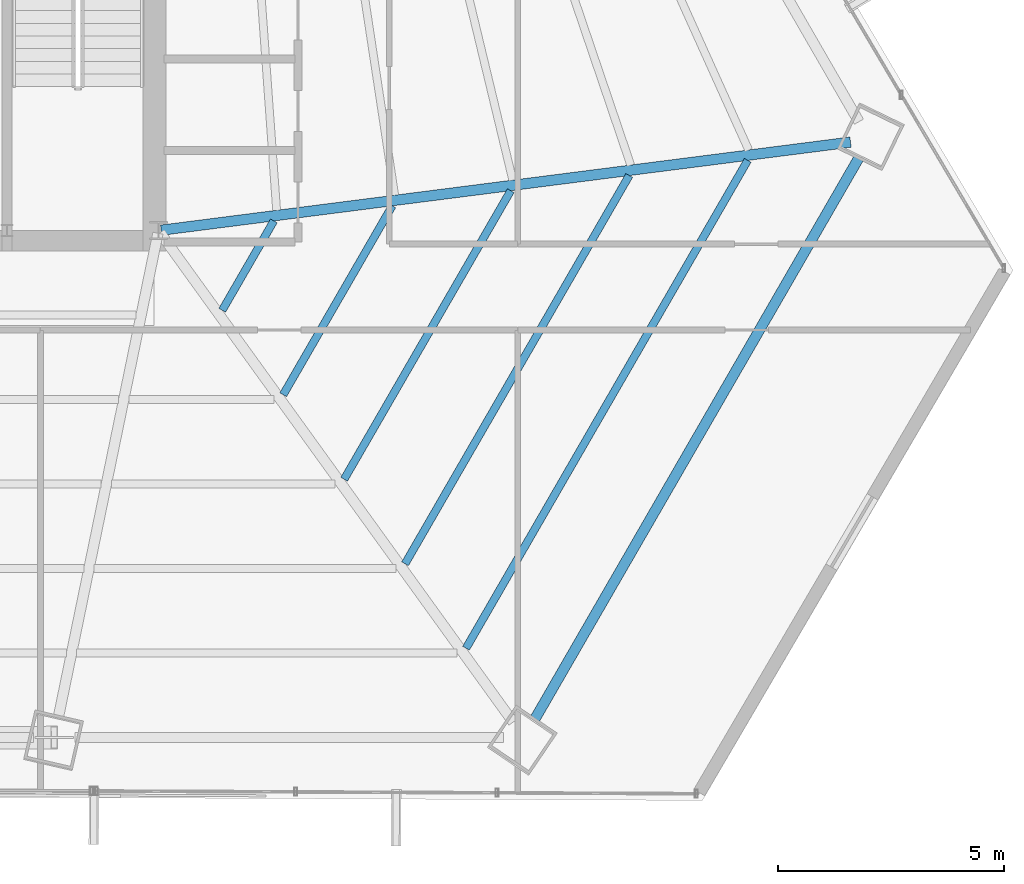
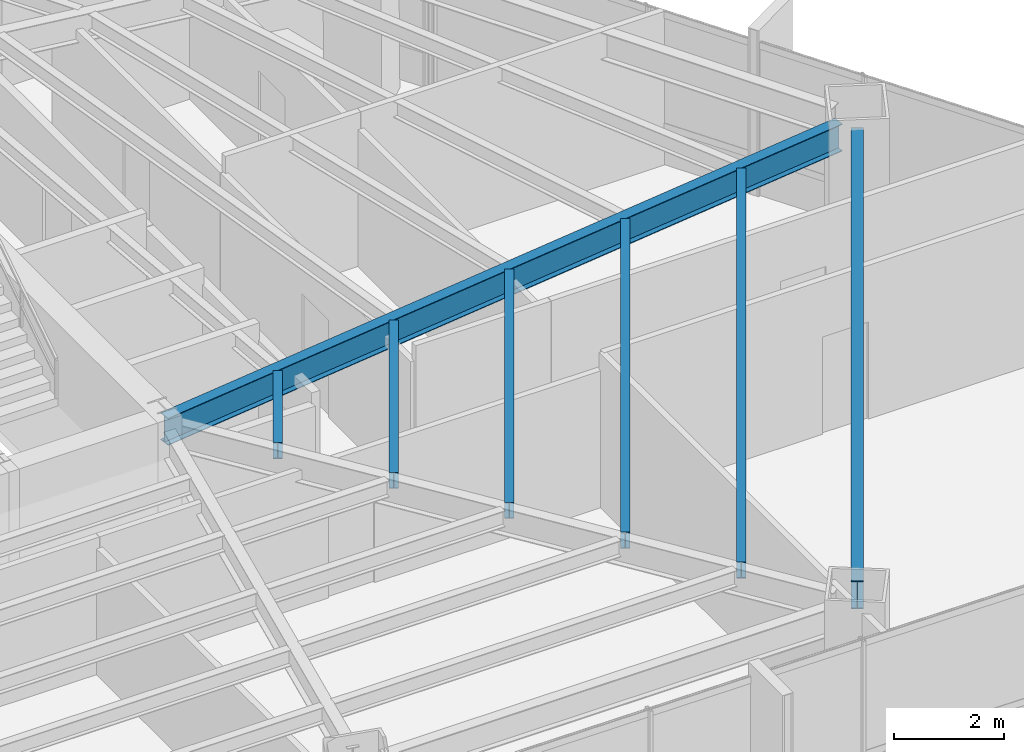
# One storey, part 19 of 35: 7 beams.
"""IFC4 building model written with IfcOpenShell, lengths in metres."""

from ifc_helpers import new_model, si_unit, direction, frame, origin, origin_2d, place, context, subcontext, project, spatial, i_section, extrude, source, transform, mapped, material, material_profile, profile_set, type_object, type_shapes, element, save


model = new_model("IFC4")

# Units and contexts
model_context = context("Model", 3, precision=1e-05, world=origin(), true_north=direction((0.0, 1.0)))
body_context = subcontext(model_context, "Body", "Model", "MODEL_VIEW")
ifc_project = project(units=[si_unit("LENGTHUNIT", "METRE"), si_unit("AREAUNIT", "SQUARE_METRE"), si_unit("VOLUMEUNIT", "CUBIC_METRE"), si_unit("PLANEANGLEUNIT", "RADIAN"), si_unit("MASSUNIT", "GRAM", prefix="KILO")], contexts=[model_context])

# Site, building, storey
site_placement = place(None, origin())
site = spatial("IfcSite", under=ifc_project, at=site_placement, CompositionType="ELEMENT")
building_placement = place(site_placement, origin())
building = spatial("IfcBuilding", under=site, at=building_placement, Name="Caelisora Broadcast Tower", CompositionType="ELEMENT")
storey_placement = place(building_placement, frame((0.0, 0.0, 94.449951171875)))
storey = spatial("IfcBuildingStorey", under=building, at=storey_placement, Name="L24", CompositionType="ELEMENT", Elevation=94.449951171875)

# Beams
ifc_material = material(Name="Steel Grade 350 (AS/NZS 3679.1)", Category="steel")
ifc_material_profile_1 = material_profile(ifc_material, i_section(OverallWidth=0.22900390625, OverallDepth=0.611572265625, WebThickness=0.011962890625, FlangeThickness=0.01953125, at=origin_2d()), Name="Steel Grade 350 (AS/NZS 3679.1)")
ifc_profile_set_1 = profile_set([ifc_material_profile_1], Name="Steel Grade 350 (AS/NZS 3679.1)")
beam_type_1 = type_object("IfcBeamType", Name="PG03", PredefinedType="BEAM", material=ifc_profile_set_1)
shared_shape_1 = source(origin(), body_context, "Body", "SweptSolid", [
    extrude(i_section(OverallWidth=0.22900390625, OverallDepth=0.611572265625, WebThickness=0.011962890625, FlangeThickness=0.01953125, at=origin_2d()), origin(), (0.0, 0.0, 1.0), 14.334716796875),
])
type_shapes(beam_type_1, [shared_shape_1])
beam_1_placement = place(storey_placement, frame((53.81201171875, 6.5947265625, 3.09423828125), z_axis=(0.499991264927, 0.866030446922, 0.0), x_axis=(-0.866030446922, 0.499991264927, 0.0)))
element("IfcBeam", 1, at=beam_1_placement, inside=storey, type_object=beam_type_1, Name="L24 beam PG03", PredefinedType="BEAM", context=body_context, shape_type="MappedRepresentation", body=[
    mapped(shared_shape_1, transform((0.0, 0.0, 0.0), scale=1.0)),
])
ifc_material_profile_2 = material_profile(ifc_material, i_section(OverallWidth=0.22802734375, OverallDepth=0.602294921875, WebThickness=0.010498046875, FlangeThickness=0.014892578125, at=origin_2d()), Name="Steel Grade 350 (AS/NZS 3679.1)")
ifc_profile_set_2 = profile_set([ifc_material_profile_2], Name="Steel Grade 350 (AS/NZS 3679.1)")
beam_type_2 = type_object("IfcBeamType", Name="PG04", PredefinedType="BEAM", material=ifc_profile_set_2)
shared_shape_2 = source(origin(), body_context, "Body", "SweptSolid", [
    extrude(i_section(OverallWidth=0.22802734375, OverallDepth=0.602294921875, WebThickness=0.010498046875, FlangeThickness=0.014892578125, at=origin_2d()), origin(), (0.0, 0.0, 1.0), 15.35693359375),
])
type_shapes(beam_type_2, [shared_shape_2])
beam_2_placement = place(storey_placement, frame((45.5595703125, 17.40771484375, 3.098876953125), z_axis=(0.991934434096, 0.126752035308, 0.0), x_axis=(-0.126752035308, 0.991934434096, 0.0)))
element("IfcBeam", 2, at=beam_2_placement, inside=storey, type_object=beam_type_2, Name="L24 beam PG04", PredefinedType="BEAM", context=body_context, shape_type="MappedRepresentation", body=[
    mapped(shared_shape_2, transform((0.0, 0.0, 0.0), scale=1.0)),
])
ifc_material_profile_3 = material_profile(ifc_material, i_section(OverallWidth=0.172119140625, OverallDepth=0.358642578125, WebThickness=0.008056640625, FlangeThickness=0.012939453125, at=origin_2d()), Name="Steel Grade 350 (AS/NZS 3679.1)")
ifc_profile_set_3 = profile_set([ifc_material_profile_3], Name="Steel Grade 350 (AS/NZS 3679.1)")
beam_type_3 = type_object("IfcBeamType", Name="SB02", PredefinedType="JOIST", material=ifc_profile_set_3)
shared_shape_3 = source(origin(), body_context, "Body", "SweptSolid", [
    extrude(i_section(OverallWidth=0.172119140625, OverallDepth=0.358642578125, WebThickness=0.008056640625, FlangeThickness=0.012939453125, at=origin_2d()), origin(), (0.0, 0.0, 1.0), 2.280029296875),
])
beam_3_placement = place(storey_placement, frame((46.907958984375, 15.638427734375, 3.220703125), z_axis=(0.50003140069, 0.866007273829, 0.0), x_axis=(-0.866007273829, 0.50003140069, 0.0)))
element("IfcBeam", 3, at=beam_3_placement, inside=storey, type_object=beam_type_3, Name="L24 beam SB02", PredefinedType="JOIST", context=body_context, shape_type="MappedRepresentation", body=[
    mapped(shared_shape_3, transform((0.0, 0.0, 0.0), scale=1.0)),
])
shared_shape_4 = source(origin(), body_context, "Body", "SweptSolid", [
    extrude(i_section(OverallWidth=0.172119140625, OverallDepth=0.358642578125, WebThickness=0.008056640625, FlangeThickness=0.012939453125, at=origin_2d()), origin(), (0.0, 0.0, 1.0), 4.82275390625),
])
beam_4_placement = place(storey_placement, frame((48.2548828125, 13.77099609375, 3.220703125), z_axis=(0.499988291006, 0.866032163869, 0.0), x_axis=(-0.866032163869, 0.499988291006, 0.0)))
element("IfcBeam", 4, at=beam_4_placement, inside=storey, type_object=beam_type_3, Name="L24 beam SB02", PredefinedType="JOIST", context=body_context, shape_type="MappedRepresentation", body=[
    mapped(shared_shape_4, transform((0.0, 0.0, 0.0), scale=1.0)),
])
shared_shape_5 = source(origin(), body_context, "Body", "SweptSolid", [
    extrude(i_section(OverallWidth=0.172119140625, OverallDepth=0.358642578125, WebThickness=0.008056640625, FlangeThickness=0.012939453125, at=origin_2d()), origin(), (0.0, 0.0, 1.0), 7.365234375),
])
beam_5_placement = place(storey_placement, frame((49.601806640625, 11.90380859375, 3.220703125), z_axis=(0.500003651254, 0.866023295722, 0.0), x_axis=(-0.866023295722, 0.500003651254, 0.0)))
element("IfcBeam", 5, at=beam_5_placement, inside=storey, type_object=beam_type_3, Name="L24 beam SB02", PredefinedType="JOIST", context=body_context, shape_type="MappedRepresentation", body=[
    mapped(shared_shape_5, transform((0.0, 0.0, 0.0), scale=1.0)),
])
shared_shape_6 = source(origin(), body_context, "Body", "SweptSolid", [
    extrude(i_section(OverallWidth=0.172119140625, OverallDepth=0.358642578125, WebThickness=0.008056640625, FlangeThickness=0.012939453125, at=origin_2d()), origin(), (0.0, 0.0, 1.0), 9.907470703125),
])
beam_6_placement = place(storey_placement, frame((50.948974609375, 10.03662109375, 3.220703125), z_axis=(0.49999264683, 0.866029649098, 0.0), x_axis=(-0.866029649098, 0.49999264683, 0.0)))
element("IfcBeam", 6, at=beam_6_placement, inside=storey, type_object=beam_type_3, Name="L24 beam SB02", PredefinedType="JOIST", context=body_context, shape_type="MappedRepresentation", body=[
    mapped(shared_shape_6, transform((0.0, 0.0, 0.0), scale=1.0)),
])
shared_shape_7 = source(origin(), body_context, "Body", "SweptSolid", [
    extrude(i_section(OverallWidth=0.172119140625, OverallDepth=0.358642578125, WebThickness=0.008056640625, FlangeThickness=0.012939453125, at=origin_2d()), origin(), (0.0, 0.0, 1.0), 12.4501953125),
])
type_shapes(beam_type_3, [shared_shape_3, shared_shape_4, shared_shape_5, shared_shape_6, shared_shape_7])
beam_7_placement = place(storey_placement, frame((52.2958984375, 8.169189453125, 3.220703125), z_axis=(0.499998569178, 0.866026229868, 0.0), x_axis=(-0.866026229868, 0.499998569178, 0.0)))
element("IfcBeam", 7, at=beam_7_placement, inside=storey, type_object=beam_type_3, Name="L24 beam SB02", PredefinedType="JOIST", context=body_context, shape_type="MappedRepresentation", body=[
    mapped(shared_shape_7, transform((0.0, 0.0, 0.0), scale=1.0)),
])

save(model, "model.ifc")
